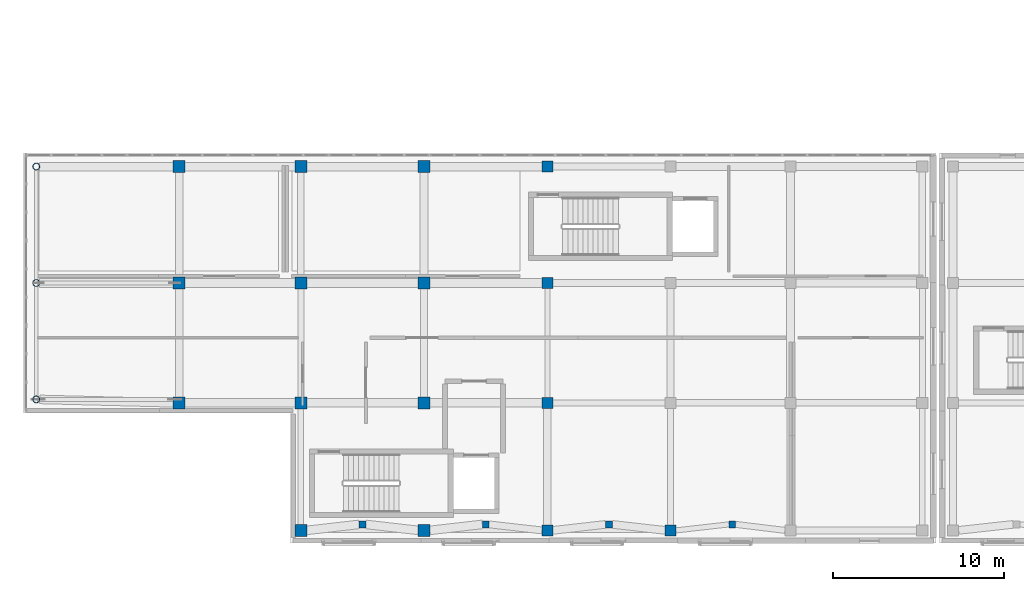
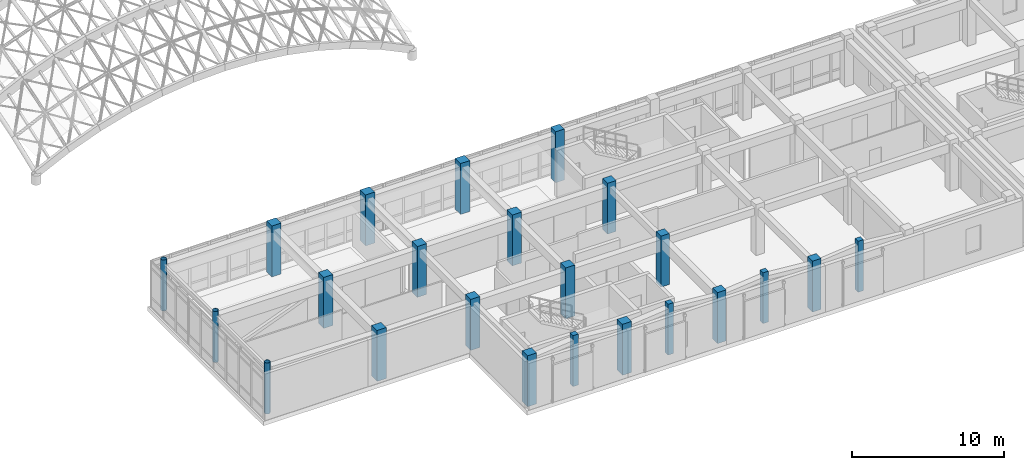
# One storey, part 1 of 146: 23 columns.
"""IFC4 building model written with IfcOpenShell, lengths in metres."""

from ifc_helpers import new_model, si_unit, direction, frame, origin, origin_2d, place, context, subcontext, project, spatial, rectangle, hollow_circle, extrude, material, material_profile, profile_set, type_object, element, save


model = new_model("IFC4")

# Units and contexts
model_context = context("Model", 3, precision=1e-05, world=origin(), true_north=direction((0.0, 1.0)))
body_context = subcontext(model_context, "Body", "Model", "MODEL_VIEW")
ifc_project = project(units=[si_unit("LENGTHUNIT", "METRE"), si_unit("AREAUNIT", "SQUARE_METRE"), si_unit("VOLUMEUNIT", "CUBIC_METRE"), si_unit("PLANEANGLEUNIT", "RADIAN"), si_unit("MASSUNIT", "GRAM", prefix="KILO")], contexts=[model_context])

# Site, building, storey
site_placement = place(None, origin())
site = spatial("IfcSite", under=ifc_project, at=site_placement, CompositionType="ELEMENT")
building_placement = place(site_placement, origin())
building = spatial("IfcBuilding", under=site, at=building_placement, Name="Valcora Specialist Clinic", CompositionType="ELEMENT")
storey_placement = place(building_placement, frame((0.0, 0.0, 9.52001953125)))
storey = spatial("IfcBuildingStorey", under=building, at=storey_placement, Name="L02", CompositionType="ELEMENT", Elevation=9.52001953125)

# Columns
ifc_material_1 = material(Name="Steel ASTM A500 Grade C", Category="steel")
ifc_material_profile_1 = material_profile(ifc_material_1, hollow_circle(Radius=0.202880859375, WallThickness=0.01611328125, at=origin_2d()), Name="ST-CHS-406X16")
ifc_profile_set_1 = profile_set([ifc_material_profile_1], Name="Steel ASTM A500 Grade C")
column_type_1 = type_object("IfcColumnType", Name="TY-COL-CHS406", PredefinedType="COLUMN", material=ifc_profile_set_1)
for number, where, z_axis, x_axis, name in (
    (1, (0.75, 8.39990234375, 0.0), (0.0, 0.0, 1.0), (1.0, 0.0, 0.0), "Column COL-L02-0539"),
    (2, (0.75, 15.199951171875, 0.0), (0.0, 0.0, 1.0), (1.0, 0.0, 0.0), "Column COL-L02-0546"),
    (3, (0.75, 22.0, 0.0), (0.0, 0.0, 1.0), (1.0, 0.0, 0.0), "Column COL-L02-0553"),
):
    element("IfcColumn", number, at=place(storey_placement, frame(where, z_axis=z_axis, x_axis=x_axis)), inside=storey, type_object=column_type_1, Name=name, PredefinedType="COLUMN", context=body_context, shape_type="SweptSolid", body=[
        extrude(hollow_circle(Radius=0.202880859375, WallThickness=0.01611328125, at=origin_2d()), origin(), (0.0, 0.0, 1.0), 4.080078125),
    ])
ifc_material_2 = material(Name="Concrete C40/50", Category="concrete")
ifc_material_profile_2 = material_profile(ifc_material_2, rectangle(XDim=0.64990234375, YDim=0.64990234375, at=origin_2d()), Name="RC-COL-650X650")
ifc_profile_set_2 = profile_set([ifc_material_profile_2], Name="Concrete C40/50")
column_type_2 = type_object("IfcColumnType", Name="TY-COL-RC650", PredefinedType="COLUMN", material=ifc_profile_set_2)
for number, where, z_axis, x_axis, name in (
    (4, (30.60009765625, 0.75, 0.0), (0.0, 0.0, 1.0), (1.0, 0.0, 0.0), "Column COL-L02-0637"),
    (5, (30.60009765625, 8.199951171875, 0.0), (0.0, 0.0, 1.0), (1.0, 0.0, 0.0), "Column COL-L02-0644"),
    (6, (30.60009765625, 15.199951171875, 0.0), (0.0, 0.0, 1.0), (1.0, 0.0, 0.0), "Column COL-L02-0651"),
    (7, (30.60009765625, 22.0, 0.0), (0.0, 0.0, 1.0), (1.0, 0.0, 0.0), "Column COL-L02-0658"),
    (8, (37.800048828125, 0.75, 0.0), (0.0, 0.0, 1.0), (1.0, 0.0, 0.0), "Column COL-L02-0665"),
):
    element("IfcColumn", number, at=place(storey_placement, frame(where, z_axis=z_axis, x_axis=x_axis)), inside=storey, type_object=column_type_2, Name=name, PredefinedType="COLUMN", context=body_context, shape_type="SweptSolid", body=[
        extrude(rectangle(XDim=0.64990234375, YDim=0.64990234375, at=origin_2d()), origin(), (0.0, 0.0, 1.0), 4.080078125),
    ])
ifc_material_profile_3 = material_profile(ifc_material_2, rectangle(XDim=0.699951171875, YDim=0.699951171875, at=origin_2d()), Name="RC-COL-700X700")
ifc_profile_set_3 = profile_set([ifc_material_profile_3], Name="Concrete C40/50")
column_type_3 = type_object("IfcColumnType", Name="TY-COL-RC700", PredefinedType="COLUMN", material=ifc_profile_set_3)
for number, where, z_axis, x_axis, name in (
    (9, (9.10009765625, 8.199951171875, 0.0), (0.0, 0.0, 1.0), (1.0, 0.0, 0.0), "Column COL-L02-0560"),
    (10, (9.10009765625, 15.199951171875, 0.0), (0.0, 0.0, 1.0), (1.0, 0.0, 0.0), "Column COL-L02-0567"),
    (11, (9.10009765625, 22.0, 0.0), (0.0, 0.0, 1.0), (1.0, 0.0, 0.0), "Column COL-L02-0574"),
    (12, (16.199951171875, 0.75, 0.0), (0.0, 0.0, 1.0), (1.0, 0.0, 0.0), "Column COL-L02-0581"),
    (13, (16.199951171875, 8.199951171875, 0.0), (0.0, 0.0, 1.0), (1.0, 0.0, 0.0), "Column COL-L02-0588"),
    (14, (16.199951171875, 15.199951171875, 0.0), (0.0, 0.0, 1.0), (1.0, 0.0, 0.0), "Column COL-L02-0595"),
    (15, (16.199951171875, 22.0, 0.0), (0.0, 0.0, 1.0), (1.0, 0.0, 0.0), "Column COL-L02-0602"),
    (16, (23.39990234375, 0.75, 0.0), (0.0, 0.0, 1.0), (1.0, 0.0, 0.0), "Column COL-L02-0609"),
    (17, (23.39990234375, 8.199951171875, 0.0), (0.0, 0.0, 1.0), (1.0, 0.0, 0.0), "Column COL-L02-0616"),
    (18, (23.39990234375, 15.199951171875, 0.0), (0.0, 0.0, 1.0), (1.0, 0.0, 0.0), "Column COL-L02-0623"),
    (19, (23.39990234375, 22.0, 0.0), (0.0, 0.0, 1.0), (1.0, 0.0, 0.0), "Column COL-L02-0630"),
):
    element("IfcColumn", number, at=place(storey_placement, frame(where, z_axis=z_axis, x_axis=x_axis)), inside=storey, type_object=column_type_3, Name=name, PredefinedType="COLUMN", context=body_context, shape_type="SweptSolid", body=[
        extrude(rectangle(XDim=0.699951171875, YDim=0.699951171875, at=origin_2d()), origin(), (0.0, 0.0, 1.0), 4.080078125),
    ])
ifc_material_profile_4 = material_profile(ifc_material_2, rectangle(XDim=0.39990234375, YDim=0.39990234375, at=origin_2d()), Name="RC-COL-400X400")
ifc_profile_set_4 = profile_set([ifc_material_profile_4], Name="Concrete C40/50")
column_type_4 = type_object("IfcColumnType", Name="TY-PIL-RC400", PredefinedType="PILASTER", material=ifc_profile_set_4)
for number, where, z_axis, x_axis, name in (
    (20, (19.800048828125, 1.10009765625, 0.0), (0.0, 0.0, 1.0), (1.0, 0.0, 0.0), "Column COL-L02-1041"),
    (21, (27.0, 1.10009765625, 0.0), (0.0, 0.0, 1.0), (1.0, 0.0, 0.0), "Column COL-L02-1045"),
    (22, (34.199951171875, 1.10009765625, 0.0), (0.0, 0.0, 1.0), (1.0, 0.0, 0.0), "Column COL-L02-1049"),
    (23, (41.39990234375, 1.10009765625, 0.0), (0.0, 0.0, 1.0), (1.0, 0.0, 0.0), "Column COL-L02-1053"),
):
    element("IfcColumn", number, at=place(storey_placement, frame(where, z_axis=z_axis, x_axis=x_axis)), inside=storey, type_object=column_type_4, Name=name, PredefinedType="PILASTER", context=body_context, shape_type="SweptSolid", body=[
        extrude(rectangle(XDim=0.39990234375, YDim=0.39990234375, at=origin_2d()), origin(), (0.0, 0.0, 1.0), 4.080078125),
    ])

save(model, "model.ifc")
